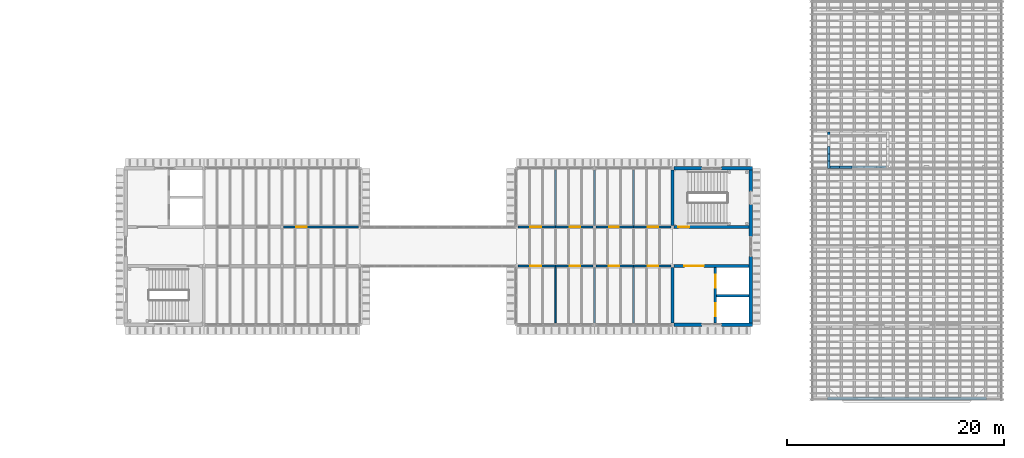
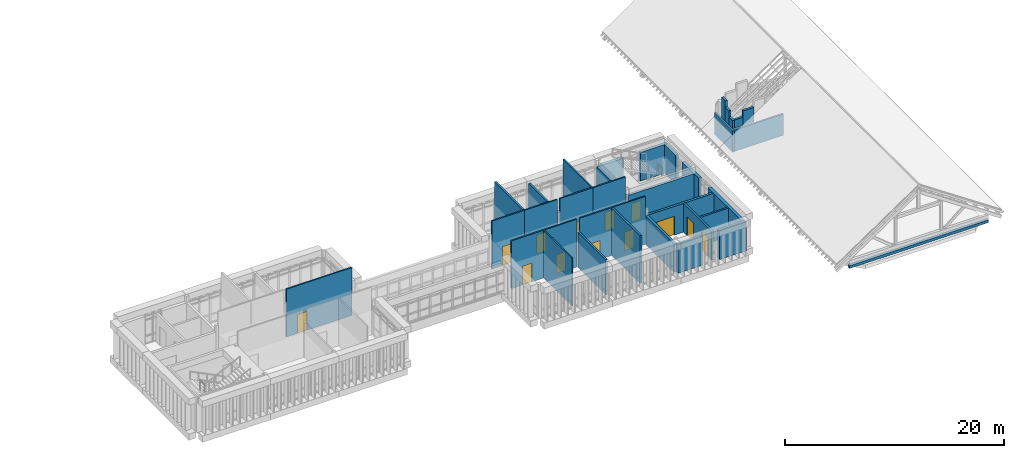
# One storey, part 37 of 51: 36 walls, 13 doors, 13 openings.
"""IFC4 building model written with IfcOpenShell, lengths in metres."""

from ifc_helpers import new_model, si_unit, direction, frame, frame_2d, origin, place, context, subcontext, project, spatial, rectangle, extrude, material, layer, layer_set, type_object, element, fill, save


model = new_model("IFC4")

# Units and contexts
model_context = context("Model", 3, precision=1e-05, world=origin(), true_north=direction((0.0, 1.0)))
body_context = subcontext(model_context, "Body", "Model", "MODEL_VIEW")
ifc_project = project(units=[si_unit("LENGTHUNIT", "METRE"), si_unit("AREAUNIT", "SQUARE_METRE"), si_unit("VOLUMEUNIT", "CUBIC_METRE"), si_unit("PLANEANGLEUNIT", "RADIAN"), si_unit("MASSUNIT", "GRAM", prefix="KILO")], contexts=[model_context])

# Site, building, storey
site_placement = place(None, origin())
site = spatial("IfcSite", under=ifc_project, at=site_placement, CompositionType="ELEMENT")
building_placement = place(site_placement, origin())
building = spatial("IfcBuilding", under=site, at=building_placement, Name="Mazhai Court Health Centre", CompositionType="ELEMENT")
storey_placement = place(building_placement, frame((0.0, 0.0, 14.10009765625)))
storey = spatial("IfcBuildingStorey", under=building, at=storey_placement, Name="L03", CompositionType="ELEMENT", Elevation=14.10009765625)

# Walls
ifc_material_1 = material(Name="Clay brick masonry", Category="masonry")
ifc_layer_1 = layer(ifc_material_1, 0.22998046875)
ifc_layer_set_1 = layer_set([ifc_layer_1], Name="BRICK PARAPET 230 EI 120")
wall_type_1 = type_object("IfcWallType", Name="BRICK PARAPET 230 EI 120", PredefinedType="SOLIDWALL", material=ifc_layer_set_1)
wall_1_placement = place(storey_placement, frame((135.7900390625, 27.800048828125, 2.31591796875), z_axis=(0.0, 0.0, 1.0), x_axis=(0.0, 1.0, 0.0)))
element("IfcWall", 1, at=wall_1_placement, inside=storey, type_object=wall_type_1, Name="PR-core-C9-overrun-slab-00", PredefinedType="SOLIDWALL", context=body_context, shape_type="SweptSolid", body=[
    extrude(rectangle(XDim=0.669921875, YDim=0.22998046875, at=frame_2d((0.3349609375, 0.0))), origin(), (0.0, 0.0, 1.0), 0.89990234375),
])
wall_2_placement = place(storey_placement, frame((135.7900390625, 28.469970703125, 2.31591796875), z_axis=(0.0, 0.0, 1.0), x_axis=(0.0, 1.0, 0.0)))
element("IfcWall", 2, at=wall_2_placement, inside=storey, type_object=wall_type_1, Name="PR-core-C9-overrun-slab-01", PredefinedType="SOLIDWALL", context=body_context, shape_type="SweptSolid", body=[
    extrude(rectangle(XDim=0.669921875, YDim=0.22998046875, at=frame_2d((0.3349609375, 0.0))), origin(), (0.0, 0.0, 1.0), 1.60009765625),
])
wall_3_placement = place(storey_placement, frame((135.7900390625, 29.139892578125, 2.31591796875), z_axis=(0.0, 0.0, 1.0), x_axis=(0.0, 1.0, 0.0)))
element("IfcWall", 3, at=wall_3_placement, inside=storey, type_object=wall_type_1, Name="PR-core-C9-overrun-slab-02", PredefinedType="SOLIDWALL", context=body_context, shape_type="SweptSolid", body=[
    extrude(rectangle(XDim=0.670166015625, YDim=0.22998046875, at=frame_2d((0.3349609375, 0.0))), origin(), (0.0, 0.0, 1.0), 2.300048828125),
])
wall_4_placement = place(storey_placement, frame((137.93505859375, 27.9150390625, 2.31591796875), z_axis=(0.0, 0.0, 1.0), x_axis=(-1.0, 0.0, 0.0)))
element("IfcWall", 4, at=wall_4_placement, inside=storey, type_object=wall_type_1, Name="PR-core-C9-overrun-slab-33", PredefinedType="SOLIDWALL", context=body_context, shape_type="SweptSolid", body=[
    extrude(rectangle(XDim=1.130126953125, YDim=0.22998046875, at=frame_2d((0.56494140625, 0.0))), origin(), (0.0, 0.0, 1.0), 1.60009765625),
])
wall_5_placement = place(storey_placement, frame((136.804931640625, 27.9150390625, 2.31591796875), z_axis=(0.0, 0.0, 1.0), x_axis=(-1.0, 0.0, 0.0)))
element("IfcWall", 5, at=wall_5_placement, inside=storey, type_object=wall_type_1, Name="PR-core-C9-overrun-slab-34", PredefinedType="SOLIDWALL", context=body_context, shape_type="SweptSolid", body=[
    extrude(rectangle(XDim=1.1298828125, YDim=0.22998046875, at=frame_2d((0.56494140625, 0.0))), origin(), (0.0, 0.0, 1.0), 0.89990234375),
])
ifc_material_2 = material(Name="Clay brick masonry", Category="masonry")
ifc_layer_2 = layer(ifc_material_2, 0.330078125)
ifc_layer_set_2 = layer_set([ifc_layer_2], Name="BRICK WALL 330 EXTERNAL")
wall_type_2 = type_object("IfcWallType", Name="BRICK WALL 330 EXTERNAL", PredefinedType="SOLIDWALL", material=ifc_layer_set_2)
wall_6_placement = place(storey_placement, frame((124.10009765625, 13.39990234375, 0.0), z_axis=(0.0, 0.0, 1.0), x_axis=(-1.0, 0.0, 0.0)))
element("IfcWall", 6, at=wall_6_placement, inside=storey, type_object=wall_type_2, Name="EW-V4-L03-A7a", PredefinedType="SOLIDWALL", context=body_context, shape_type="SweptSolid", body=[
    extrude(rectangle(XDim=2.56005859375, YDim=0.330078125, at=frame_2d((1.280029296875, 0.0))), origin(), (0.0, 0.0, 1.0), 3.199951171875),
])
wall_7_placement = place(storey_placement, frame((128.764892578125, 13.39990234375, 0.0), z_axis=(0.0, 0.0, 1.0), x_axis=(-1.0, 0.0, 0.0)))
element("IfcWall", 7, at=wall_7_placement, inside=storey, type_object=wall_type_2, Name="EW-V4-L03-A7b", PredefinedType="SOLIDWALL", context=body_context, shape_type="SweptSolid", body=[
    extrude(rectangle(XDim=2.864990234375, YDim=0.330078125, at=frame_2d((1.4326171875, 0.0))), origin(), (0.0, 0.0, 1.0), 3.199951171875),
])
wall_8_placement = place(storey_placement, frame((121.5400390625, 27.800048828125, 0.0), z_axis=(0.0, 0.0, 1.0), x_axis=(1.0, 0.0, 0.0)))
element("IfcWall", 8, at=wall_8_placement, inside=storey, type_object=wall_type_2, Name="EW-V4-L03-B7a", PredefinedType="SOLIDWALL", context=body_context, shape_type="SweptSolid", body=[
    extrude(rectangle(XDim=2.56005859375, YDim=0.330078125, at=frame_2d((1.280029296875, 0.0))), origin(), (0.0, 0.0, 1.0), 3.199951171875),
])
wall_9_placement = place(storey_placement, frame((125.89990234375, 27.800048828125, 0.0), z_axis=(0.0, 0.0, 1.0), x_axis=(1.0, 0.0, 0.0)))
element("IfcWall", 9, at=wall_9_placement, inside=storey, type_object=wall_type_2, Name="EW-V4-L03-B7b", PredefinedType="SOLIDWALL", context=body_context, shape_type="SweptSolid", body=[
    extrude(rectangle(XDim=2.864990234375, YDim=0.330078125, at=frame_2d((1.4326171875, 0.0))), origin(), (0.0, 0.0, 1.0), 3.199951171875),
])
wall_10_placement = place(storey_placement, frame((128.60009765625, 19.699951171875, 0.0), z_axis=(0.0, 0.0, 1.0), x_axis=(0.0, -1.0, 0.0)))
element("IfcWall", 10, at=wall_10_placement, inside=storey, type_object=wall_type_2, Name="EW-V4-L03-Ep0", PredefinedType="SOLIDWALL", context=body_context, shape_type="SweptSolid", body=[
    extrude(rectangle(XDim=6.135009765625, YDim=0.330078125, at=frame_2d((3.0673828125, 0.0))), origin(), (0.0, 0.0, 1.0), 3.199951171875),
])
wall_11_placement = place(storey_placement, frame((128.60009765625, 24.47998046875, 0.0), z_axis=(0.0, 0.0, 1.0), x_axis=(0.0, -1.0, 0.0)))
element("IfcWall", 11, at=wall_11_placement, inside=storey, type_object=wall_type_2, Name="EW-V4-L03-Ep1", PredefinedType="SOLIDWALL", context=body_context, shape_type="SweptSolid", body=[
    extrude(rectangle(XDim=2.97998046875, YDim=0.330078125, at=frame_2d((1.489990234375, 0.0))), origin(), (0.0, 0.0, 1.0), 3.199951171875),
])
wall_12_placement = place(storey_placement, frame((128.60009765625, 27.635009765625, 0.0), z_axis=(0.0, 0.0, 1.0), x_axis=(0.0, -1.0, 0.0)))
element("IfcWall", 12, at=wall_12_placement, inside=storey, type_object=wall_type_2, Name="EW-V4-L03-Ep2", PredefinedType="SOLIDWALL", context=body_context, shape_type="SweptSolid", body=[
    extrude(rectangle(XDim=1.955078125, YDim=0.330078125, at=frame_2d((0.9775390625, 0.0))), origin(), (0.0, 0.0, 1.0), 3.199951171875),
])
ifc_material_3 = material(Name="Gypsum plasterboard partition")
ifc_layer_3 = layer(ifc_material_3, 0.125)
ifc_layer_set_3 = layer_set([ifc_layer_3], Name="PARTITION 125 STUD EI30")
wall_type_3 = type_object("IfcWallType", Name="PARTITION 125 STUD EI30", PredefinedType="PARTITIONING", material=ifc_layer_set_3)
wall_13_placement = place(storey_placement, frame((110.60009765625, 13.56494140625, 0.0), z_axis=(0.0, 0.0, 1.0), x_axis=(0.0, 1.0, 0.0)))
element("IfcWall", 13, at=wall_13_placement, inside=storey, type_object=wall_type_3, Name="wall-V4-L03-A1-cross-1a", PredefinedType="PARTITIONING", context=body_context, shape_type="SweptSolid", body=[
    extrude(rectangle(XDim=5.16015625, YDim=0.125, at=frame_2d((2.580078125, 0.0))), origin(), (0.0, 0.0, 1.0), 5.331298828125),
])

# Wall, opening, door
ifc_material_4 = material(Name="Gypsum plasterboard partition")
ifc_layer_4 = layer(ifc_material_4, 0.14990234375)
ifc_layer_set_4 = layer_set([ifc_layer_4], Name="PARTITION 150 CORRIDOR EI60")
wall_type_4 = type_object("IfcWallType", Name="PARTITION 150 CORRIDOR EI60", PredefinedType="PARTITIONING", material=ifc_layer_set_4)
wall_14_placement = place(storey_placement, frame((110.60009765625, 18.800048828125, 0.0), z_axis=(0.0, 0.0, 1.0), x_axis=(-1.0, 0.0, 0.0)))
wall_14 = element("IfcWall", 14, at=wall_14_placement, inside=storey, type_object=wall_type_4, Name="wall-V4-L03-A1-corr-0a", PredefinedType="PARTITIONING", context=body_context, shape_type="SweptSolid", body=[
    extrude(rectangle(XDim=3.43505859375, YDim=0.14990234375, at=frame_2d((1.717529296875, 0.0))), origin(), (0.0, 0.0, 1.0), 5.331298828125),
])
opening_1_placement = place(wall_14_placement, frame((1.300048828125, 0.0, 0.0)))
opening_1 = element("IfcOpeningElement", 15, at=opening_1_placement, cuts=wall_14, Name="Opening D-L03-044", PredefinedType="OPENING", context=body_context, shape_type="SweptSolid", body=[
    extrude(rectangle(XDim=1.0, YDim=2.10009765625, at=frame_2d((0.5, 1.050048828125))), frame((0.0, 0.0849609375, 0.0), z_axis=(0.0, -1.0, 0.0), x_axis=(1.0, 0.0, 0.0)), (0.0, 0.0, 1.0), 0.169921875),
])
ifc_material_5 = material(Name="Hardwood door leaf", Category="wood")
door_type_1 = type_object("IfcDoorType", Name="DOOR 1000x2100 FD30S SINGLE", OperationType="NOTDEFINED", PredefinedType="DOOR", material=ifc_material_5)
door_1_placement = place(opening_1_placement, origin())
door_1 = element("IfcDoor", 16, at=door_1_placement, inside=storey, type_object=door_type_1, Name="door-V4-L03-A1-immunisation-room", OperationType="SINGLE_SWING_RIGHT", OverallHeight=2.10009765625, OverallWidth=1.0, PredefinedType="DOOR", context=body_context, shape_type="SweptSolid", body=[
    extrude(rectangle(XDim=1.0, YDim=2.10009765625, at=frame_2d((0.5, 1.050048828125))), frame((0.0, 0.02490234375, 0.0), z_axis=(0.0, -1.0, 0.0), x_axis=(1.0, 0.0, 0.0)), (0.0, 0.0, 1.0), 0.050048828125),
])
fill(opening_1, door_1)

wall_15_placement = place(storey_placement, frame((114.06005859375, 18.800048828125, 0.0), z_axis=(0.0, 0.0, 1.0), x_axis=(-1.0, 0.0, 0.0)))
wall_15 = element("IfcWall", 17, at=wall_15_placement, inside=storey, type_object=wall_type_4, Name="wall-V4-L03-A1-corr-1a", PredefinedType="PARTITIONING", context=body_context, shape_type="SweptSolid", body=[
    extrude(rectangle(XDim=3.4599609375, YDim=0.14990234375, at=frame_2d((1.72998046875, 0.0))), origin(), (0.0, 0.0, 1.0), 5.331298828125),
])
opening_2_placement = place(wall_15_placement, frame((1.159912109375, 0.0, 0.0)))
opening_2 = element("IfcOpeningElement", 18, at=opening_2_placement, cuts=wall_15, Name="Opening D-L03-046", PredefinedType="OPENING", context=body_context, shape_type="SweptSolid", body=[
    extrude(rectangle(XDim=1.0, YDim=2.10009765625, at=frame_2d((0.5, 1.050048828125))), frame((0.0, 0.0849609375, 0.0), z_axis=(0.0, -1.0, 0.0), x_axis=(1.0, 0.0, 0.0)), (0.0, 0.0, 1.0), 0.169921875),
])
door_2_placement = place(opening_2_placement, origin())
door_2 = element("IfcDoor", 19, at=door_2_placement, inside=storey, type_object=door_type_1, Name="door-V4-L03-A1-lactation-room", OperationType="SINGLE_SWING_LEFT", OverallHeight=2.10009765625, OverallWidth=1.0, PredefinedType="DOOR", context=body_context, shape_type="SweptSolid", body=[
    extrude(rectangle(XDim=1.0, YDim=2.10009765625, at=frame_2d((0.5, 1.050048828125))), frame((0.0, 0.02490234375, 0.0), z_axis=(0.0, -1.0, 0.0), x_axis=(1.0, 0.0, 0.0)), (0.0, 0.0, 1.0), 0.050048828125),
])
fill(opening_2, door_2)

wall_16_placement = place(storey_placement, frame((117.800048828125, 18.800048828125, 0.0), z_axis=(0.0, 0.0, 1.0), x_axis=(-1.0, 0.0, 0.0)))
wall_16 = element("IfcWall", 20, at=wall_16_placement, inside=storey, type_object=wall_type_4, Name="wall-V4-L03-A1-corr-2a", PredefinedType="PARTITIONING", context=body_context, shape_type="SweptSolid", body=[
    extrude(rectangle(XDim=3.4599609375, YDim=0.14990234375, at=frame_2d((1.72998046875, 0.0))), origin(), (0.0, 0.0, 1.0), 5.331298828125),
])
opening_3_placement = place(wall_16_placement, frame((1.300048828125, 0.0, 0.0)))
opening_3 = element("IfcOpeningElement", 21, at=opening_3_placement, cuts=wall_16, Name="Opening D-L03-048", PredefinedType="OPENING", context=body_context, shape_type="SweptSolid", body=[
    extrude(rectangle(XDim=1.0, YDim=2.10009765625, at=frame_2d((0.5, 1.050048828125))), frame((0.0, 0.0849609375, 0.0), z_axis=(0.0, -1.0, 0.0), x_axis=(1.0, 0.0, 0.0)), (0.0, 0.0, 1.0), 0.169921875),
])
door_3_placement = place(opening_3_placement, origin())
door_3 = element("IfcDoor", 22, at=door_3_placement, inside=storey, type_object=door_type_1, Name="door-V4-L03-A1-psychiatry-consulting-room-1", OperationType="SINGLE_SWING_RIGHT", OverallHeight=2.10009765625, OverallWidth=1.0, PredefinedType="DOOR", context=body_context, shape_type="SweptSolid", body=[
    extrude(rectangle(XDim=1.0, YDim=2.10009765625, at=frame_2d((0.5, 1.050048828125))), frame((0.0, 0.02490234375, 0.0), z_axis=(0.0, -1.0, 0.0), x_axis=(1.0, 0.0, 0.0)), (0.0, 0.0, 1.0), 0.050048828125),
])
fill(opening_3, door_3)

wall_17_placement = place(storey_placement, frame((121.260009765625, 18.800048828125, 0.0), z_axis=(0.0, 0.0, 1.0), x_axis=(-1.0, 0.0, 0.0)))
wall_17 = element("IfcWall", 23, at=wall_17_placement, inside=storey, type_object=wall_type_4, Name="wall-V4-L03-A1-corr-3a", PredefinedType="PARTITIONING", context=body_context, shape_type="SweptSolid", body=[
    extrude(rectangle(XDim=3.4599609375, YDim=0.14990234375, at=frame_2d((1.72998046875, 0.0))), origin(), (0.0, 0.0, 1.0), 5.331298828125),
])
opening_4_placement = place(wall_17_placement, frame((1.159912109375, 0.0, 0.0)))
opening_4 = element("IfcOpeningElement", 24, at=opening_4_placement, cuts=wall_17, Name="Opening D-L03-050", PredefinedType="OPENING", context=body_context, shape_type="SweptSolid", body=[
    extrude(rectangle(XDim=1.0, YDim=2.10009765625, at=frame_2d((0.5, 1.050048828125))), frame((0.0, 0.0849609375, 0.0), z_axis=(0.0, -1.0, 0.0), x_axis=(1.0, 0.0, 0.0)), (0.0, 0.0, 1.0), 0.169921875),
])
door_4_placement = place(opening_4_placement, origin())
door_4 = element("IfcDoor", 25, at=door_4_placement, inside=storey, type_object=door_type_1, Name="door-V4-L03-A1-psychiatry-consulting-room-2", OperationType="SINGLE_SWING_LEFT", OverallHeight=2.10009765625, OverallWidth=1.0, PredefinedType="DOOR", context=body_context, shape_type="SweptSolid", body=[
    extrude(rectangle(XDim=1.0, YDim=2.10009765625, at=frame_2d((0.5, 1.050048828125))), frame((0.0, 0.02490234375, 0.0), z_axis=(0.0, -1.0, 0.0), x_axis=(1.0, 0.0, 0.0)), (0.0, 0.0, 1.0), 0.050048828125),
])
fill(opening_4, door_4)

wall_18_placement = place(storey_placement, frame((85.5400390625, 22.39990234375, 0.0), z_axis=(0.0, 0.0, 1.0), x_axis=(1.0, 0.0, 0.0)))
wall_18 = element("IfcWall", 26, at=wall_18_placement, inside=storey, type_object=wall_type_4, Name="wall-V4-L03-B0-corr-2a", PredefinedType="PARTITIONING", context=body_context, shape_type="SweptSolid", body=[
    extrude(rectangle(XDim=6.89501953125, YDim=0.14990234375, at=frame_2d((3.447509765625, 0.0))), origin(), (0.0, 0.0, 1.0), 5.331298828125),
])
opening_5_placement = place(wall_18_placement, frame((1.159912109375, 0.0, 0.0)))
opening_5 = element("IfcOpeningElement", 27, at=opening_5_placement, cuts=wall_18, Name="Opening D-L03-042", PredefinedType="OPENING", context=body_context, shape_type="SweptSolid", body=[
    extrude(rectangle(XDim=1.0, YDim=2.10009765625, at=frame_2d((0.5, 1.050048828125))), frame((0.0, 0.0849609375, 0.0), z_axis=(0.0, -1.0, 0.0), x_axis=(1.0, 0.0, 0.0)), (0.0, 0.0, 1.0), 0.169921875),
])
door_5_placement = place(opening_5_placement, origin())
door_5 = element("IfcDoor", 28, at=door_5_placement, inside=storey, type_object=door_type_1, Name="door-V4-L03-B0-group-therapy-room", OperationType="SINGLE_SWING_LEFT", OverallHeight=2.10009765625, OverallWidth=1.0, PredefinedType="DOOR", context=body_context, shape_type="SweptSolid", body=[
    extrude(rectangle(XDim=1.0, YDim=2.10009765625, at=frame_2d((0.5, 1.050048828125))), frame((0.0, 0.02490234375, 0.0), z_axis=(0.0, -1.0, 0.0), x_axis=(1.0, 0.0, 0.0)), (0.0, 0.0, 1.0), 0.050048828125),
])
fill(opening_5, door_5)

wall_19_placement = place(storey_placement, frame((107.1650390625, 22.39990234375, 0.0), z_axis=(0.0, 0.0, 1.0), x_axis=(1.0, 0.0, 0.0)))
wall_19 = element("IfcWall", 29, at=wall_19_placement, inside=storey, type_object=wall_type_4, Name="wall-V4-L03-B1-corr-0a", PredefinedType="PARTITIONING", context=body_context, shape_type="SweptSolid", body=[
    extrude(rectangle(XDim=3.43505859375, YDim=0.14990234375, at=frame_2d((1.717529296875, 0.0))), origin(), (0.0, 0.0, 1.0), 5.331298828125),
])
opening_6_placement = place(wall_19_placement, frame((1.135009765625, 0.0, 0.0)))
opening_6 = element("IfcOpeningElement", 30, at=opening_6_placement, cuts=wall_19, Name="Opening D-L03-045", PredefinedType="OPENING", context=body_context, shape_type="SweptSolid", body=[
    extrude(rectangle(XDim=1.0, YDim=2.10009765625, at=frame_2d((0.5, 1.050048828125))), frame((0.0, 0.0849609375, 0.0), z_axis=(0.0, -1.0, 0.0), x_axis=(1.0, 0.0, 0.0)), (0.0, 0.0, 1.0), 0.169921875),
])
door_6_placement = place(opening_6_placement, origin())
door_6 = element("IfcDoor", 31, at=door_6_placement, inside=storey, type_object=door_type_1, Name="door-V4-L03-B1-assessment-room", OperationType="SINGLE_SWING_LEFT", OverallHeight=2.10009765625, OverallWidth=1.0, PredefinedType="DOOR", context=body_context, shape_type="SweptSolid", body=[
    extrude(rectangle(XDim=1.0, YDim=2.10009765625, at=frame_2d((0.5, 1.050048828125))), frame((0.0, 0.02490234375, 0.0), z_axis=(0.0, -1.0, 0.0), x_axis=(1.0, 0.0, 0.0)), (0.0, 0.0, 1.0), 0.050048828125),
])
fill(opening_6, door_6)

wall_20_placement = place(storey_placement, frame((110.60009765625, 22.39990234375, 0.0), z_axis=(0.0, 0.0, 1.0), x_axis=(1.0, 0.0, 0.0)))
wall_20 = element("IfcWall", 32, at=wall_20_placement, inside=storey, type_object=wall_type_4, Name="wall-V4-L03-B1-corr-1a", PredefinedType="PARTITIONING", context=body_context, shape_type="SweptSolid", body=[
    extrude(rectangle(XDim=3.4599609375, YDim=0.14990234375, at=frame_2d((1.72998046875, 0.0))), origin(), (0.0, 0.0, 1.0), 5.331298828125),
])
opening_7_placement = place(wall_20_placement, frame((1.300048828125, 0.0, 0.0)))
opening_7 = element("IfcOpeningElement", 33, at=opening_7_placement, cuts=wall_20, Name="Opening D-L03-047", PredefinedType="OPENING", context=body_context, shape_type="SweptSolid", body=[
    extrude(rectangle(XDim=1.0, YDim=2.10009765625, at=frame_2d((0.5, 1.050048828125))), frame((0.0, 0.0849609375, 0.0), z_axis=(0.0, -1.0, 0.0), x_axis=(1.0, 0.0, 0.0)), (0.0, 0.0, 1.0), 0.169921875),
])
door_7_placement = place(opening_7_placement, origin())
door_7 = element("IfcDoor", 34, at=door_7_placement, inside=storey, type_object=door_type_1, Name="door-V4-L03-B1-quiet-room", OperationType="SINGLE_SWING_RIGHT", OverallHeight=2.10009765625, OverallWidth=1.0, PredefinedType="DOOR", context=body_context, shape_type="SweptSolid", body=[
    extrude(rectangle(XDim=1.0, YDim=2.10009765625, at=frame_2d((0.5, 1.050048828125))), frame((0.0, 0.02490234375, 0.0), z_axis=(0.0, -1.0, 0.0), x_axis=(1.0, 0.0, 0.0)), (0.0, 0.0, 1.0), 0.050048828125),
])
fill(opening_7, door_7)

wall_21_placement = place(storey_placement, frame((117.800048828125, 22.39990234375, 0.0), z_axis=(0.0, 0.0, 1.0), x_axis=(-1.0, 0.0, 0.0)))
wall_21 = element("IfcWall", 35, at=wall_21_placement, inside=storey, type_object=wall_type_4, Name="wall-V4-L03-B1-corr-2a", PredefinedType="PARTITIONING", context=body_context, shape_type="SweptSolid", body=[
    extrude(rectangle(XDim=3.4599609375, YDim=0.14990234375, at=frame_2d((1.72998046875, 0.0))), origin(), (0.0, 0.0, 1.0), 5.331298828125),
])
opening_8_placement = place(wall_21_placement, frame((1.35009765625, 0.0, 0.0)))
opening_8 = element("IfcOpeningElement", 36, at=opening_8_placement, cuts=wall_21, Name="Opening D-L03-049", PredefinedType="OPENING", context=body_context, shape_type="SweptSolid", body=[
    extrude(rectangle(XDim=0.89990234375, YDim=2.10009765625, at=frame_2d((0.449951171875, 1.050048828125))), frame((0.0, 0.0849609375, 0.0), z_axis=(0.0, -1.0, 0.0), x_axis=(1.0, 0.0, 0.0)), (0.0, 0.0, 1.0), 0.169921875),
])
ifc_material_6 = material(Name="Hardwood door leaf", Category="wood")
door_type_2 = type_object("IfcDoorType", Name="DOOR 900x2100 FD30S SINGLE", OperationType="NOTDEFINED", PredefinedType="DOOR", material=ifc_material_6)
door_8_placement = place(opening_8_placement, origin())
door_8 = element("IfcDoor", 37, at=door_8_placement, inside=storey, type_object=door_type_2, Name="door-V4-L03-B1-accessible-wc", OperationType="SINGLE_SWING_RIGHT", OverallHeight=2.10009765625, OverallWidth=0.89990234375, PredefinedType="DOOR", context=body_context, shape_type="SweptSolid", body=[
    extrude(rectangle(XDim=0.89990234375, YDim=2.10009765625, at=frame_2d((0.449951171875, 1.050048828125))), frame((0.0, 0.02490234375, 0.0), z_axis=(0.0, -1.0, 0.0), x_axis=(1.0, 0.0, 0.0)), (0.0, 0.0, 1.0), 0.050048828125),
])
fill(opening_8, door_8)

wall_22_placement = place(storey_placement, frame((117.800048828125, 22.39990234375, 0.0), z_axis=(0.0, 0.0, 1.0), x_axis=(1.0, 0.0, 0.0)))
wall_22 = element("IfcWall", 38, at=wall_22_placement, inside=storey, type_object=wall_type_4, Name="wall-V4-L03-B1-corr-3a", PredefinedType="PARTITIONING", context=body_context, shape_type="SweptSolid", body=[
    extrude(rectangle(XDim=3.4599609375, YDim=0.14990234375, at=frame_2d((1.72998046875, 0.0))), origin(), (0.0, 0.0, 1.0), 5.331298828125),
])
opening_9_placement = place(wall_22_placement, frame((1.300048828125, 0.0, 0.0)))
opening_9 = element("IfcOpeningElement", 39, at=opening_9_placement, cuts=wall_22, Name="Opening D-L03-051", PredefinedType="OPENING", context=body_context, shape_type="SweptSolid", body=[
    extrude(rectangle(XDim=1.0, YDim=2.10009765625, at=frame_2d((0.5, 1.050048828125))), frame((0.0, 0.0849609375, 0.0), z_axis=(0.0, -1.0, 0.0), x_axis=(1.0, 0.0, 0.0)), (0.0, 0.0, 1.0), 0.169921875),
])
door_9_placement = place(opening_9_placement, origin())
door_9 = element("IfcDoor", 40, at=door_9_placement, inside=storey, type_object=door_type_1, Name="door-V4-L03-B1-health-administration-office", OperationType="SINGLE_SWING_RIGHT", OverallHeight=2.10009765625, OverallWidth=1.0, PredefinedType="DOOR", context=body_context, shape_type="SweptSolid", body=[
    extrude(rectangle(XDim=1.0, YDim=2.10009765625, at=frame_2d((0.5, 1.050048828125))), frame((0.0, 0.02490234375, 0.0), z_axis=(0.0, -1.0, 0.0), x_axis=(1.0, 0.0, 0.0)), (0.0, 0.0, 1.0), 0.050048828125),
])
fill(opening_9, door_9)

# Walls
ifc_material_7 = material(Name="Gypsum plasterboard partition")
ifc_layer_5 = layer(ifc_material_7, 0.14990234375)
ifc_layer_set_5 = layer_set([ifc_layer_5], Name="PARTITION 150 WET AREA EI30")
wall_type_5 = type_object("IfcWallType", Name="PARTITION 150 WET AREA EI30", PredefinedType="PARTITIONING", material=ifc_layer_set_5)
wall_23_placement = place(storey_placement, frame((117.800048828125, 27.635009765625, 0.0), z_axis=(0.0, 0.0, 1.0), x_axis=(0.0, -1.0, 0.0)))
element("IfcWall", 41, at=wall_23_placement, inside=storey, type_object=wall_type_5, Name="wall-V4-L03-B1-cross-3a", PredefinedType="PARTITIONING", context=body_context, shape_type="SweptSolid", body=[
    extrude(rectangle(XDim=5.159912109375, YDim=0.14990234375, at=frame_2d((2.580078125, 0.0))), origin(), (0.0, 0.0, 1.0), 5.331298828125),
])
ifc_material_8 = material(Name="Gypsum plasterboard partition")
ifc_layer_6 = layer(ifc_material_8, 0.199951171875)
ifc_layer_set_6 = layer_set([ifc_layer_6], Name="PARTITION 200 ACOUSTIC EI30")
wall_type_6 = type_object("IfcWallType", Name="PARTITION 200 ACOUSTIC EI30", PredefinedType="PARTITIONING", material=ifc_layer_set_6)
wall_24_placement = place(storey_placement, frame((114.199951171875, 13.56494140625, 0.0), z_axis=(0.0, 0.0, 1.0), x_axis=(0.0, 1.0, 0.0)))
element("IfcWall", 42, at=wall_24_placement, inside=storey, type_object=wall_type_6, Name="wall-V4-L03-A1-cross-2a", PredefinedType="PARTITIONING", context=body_context, shape_type="SweptSolid", body=[
    extrude(rectangle(XDim=5.094970703125, YDim=0.199951171875, at=frame_2d((2.54736328125, 0.0))), origin(), (0.0, 0.0, 1.0), 3.89990234375),
])
wall_25_placement = place(storey_placement, frame((117.800048828125, 13.56494140625, 0.0), z_axis=(0.0, 0.0, 1.0), x_axis=(0.0, 1.0, 0.0)))
element("IfcWall", 43, at=wall_25_placement, inside=storey, type_object=wall_type_6, Name="wall-V4-L03-A1-cross-3a", PredefinedType="PARTITIONING", context=body_context, shape_type="SweptSolid", body=[
    extrude(rectangle(XDim=5.16015625, YDim=0.199951171875, at=frame_2d((2.580078125, 0.0))), origin(), (0.0, 0.0, 1.0), 5.331298828125),
])
wall_26_placement = place(storey_placement, frame((110.60009765625, 27.635009765625, 0.0), z_axis=(0.0, 0.0, 1.0), x_axis=(0.0, -1.0, 0.0)))
element("IfcWall", 44, at=wall_26_placement, inside=storey, type_object=wall_type_6, Name="wall-V4-L03-B1-cross-1a", PredefinedType="PARTITIONING", context=body_context, shape_type="SweptSolid", body=[
    extrude(rectangle(XDim=5.159912109375, YDim=0.199951171875, at=frame_2d((2.580078125, 0.0))), origin(), (0.0, 0.0, 1.0), 5.331298828125),
])
wall_27_placement = place(storey_placement, frame((114.199951171875, 27.635009765625, 0.0), z_axis=(0.0, 0.0, 1.0), x_axis=(0.0, -1.0, 0.0)))
element("IfcWall", 45, at=wall_27_placement, inside=storey, type_object=wall_type_6, Name="wall-V4-L03-B1-cross-2a", PredefinedType="PARTITIONING", context=body_context, shape_type="SweptSolid", body=[
    extrude(rectangle(XDim=5.094970703125, YDim=0.199951171875, at=frame_2d((2.54736328125, 0.0))), origin(), (0.0, 0.0, 1.0), 3.89990234375),
])

# Wall, opening, door
ifc_material_9 = material(Name="Concrete M40", Category="concrete")
ifc_layer_7 = layer(ifc_material_9, 0.25)
ifc_layer_set_7 = layer_set([ifc_layer_7], Name="RC CORE WALL 250 M40")
wall_type_7 = type_object("IfcWallType", Name="RC CORE WALL 250 M40", PredefinedType="SHEAR", material=ifc_layer_set_7)
wall_28_placement = place(storey_placement, frame((121.5400390625, 22.39990234375, 0.0), z_axis=(0.0, 0.0, 1.0), x_axis=(1.0, 0.0, 0.0)))
wall_28 = element("IfcWall", 46, at=wall_28_placement, inside=storey, type_object=wall_type_7, Name="core-C7-w-stair-corr-L03", PredefinedType="SHEAR", context=body_context, shape_type="SweptSolid", body=[
    extrude(rectangle(XDim=6.89501953125, YDim=0.25, at=frame_2d((3.447509765625, 0.0))), origin(), (0.0, 0.0, 1.0), 3.199951171875),
])
opening_10_placement = place(wall_28_placement, frame((0.385009765625, 0.0, 0.0)))
opening_10 = element("IfcOpeningElement", 47, at=opening_10_placement, cuts=wall_28, Name="Opening D-L03-052", PredefinedType="OPENING", context=body_context, shape_type="SweptSolid", body=[
    extrude(rectangle(XDim=1.0, YDim=2.10009765625, at=frame_2d((0.5, 1.050048828125))), frame((0.0, 0.135009765625, 0.0), z_axis=(0.0, -1.0, 0.0), x_axis=(1.0, 0.0, 0.0)), (0.0, 0.0, 1.0), 0.27001953125),
])
ifc_material_10 = material(Name="Steel fire door leaf", Category="steel")
door_type_3 = type_object("IfcDoorType", Name="FD120S STAIR DOOR 1000x2100", OperationType="SINGLE_SWING_LEFT", PredefinedType="DOOR", material=ifc_material_10)
door_10_placement = place(opening_10_placement, origin())
door_10 = element("IfcDoor", 48, at=door_10_placement, inside=storey, type_object=door_type_3, Name="Stair 7 door L03", OperationType="SINGLE_SWING_RIGHT", OverallHeight=2.10009765625, OverallWidth=1.0, PredefinedType="DOOR", context=body_context, shape_type="SweptSolid", body=[
    extrude(rectangle(XDim=1.0, YDim=2.10009765625, at=frame_2d((0.5, 1.050048828125))), frame((0.0, 0.02490234375, 0.0), z_axis=(0.0, -1.0, 0.0), x_axis=(1.0, 0.0, 0.0)), (0.0, 0.0, 1.0), 0.050048828125),
])
fill(opening_10, door_10)

# Wall
wall_29_placement = place(storey_placement, frame((121.39990234375, 22.5400390625, 0.0), z_axis=(0.0, 0.0, 1.0), x_axis=(0.0, 1.0, 0.0)))
element("IfcWall", 49, at=wall_29_placement, inside=storey, type_object=wall_type_7, Name="core-C7-w-stair-line0-L03", PredefinedType="SHEAR", context=body_context, shape_type="SweptSolid", body=[
    extrude(rectangle(XDim=5.119873046875, YDim=0.25, at=frame_2d((2.56005859375, 0.0))), origin(), (0.0, 0.0, 1.0), 3.199951171875),
])

# Wall, opening, door
wall_30_placement = place(storey_placement, frame((121.5400390625, 18.800048828125, 0.0), z_axis=(0.0, 0.0, 1.0), x_axis=(1.0, 0.0, 0.0)))
wall_30 = element("IfcWall", 50, at=wall_30_placement, inside=storey, type_object=wall_type_7, Name="core-C7-w-other-corr-L03", PredefinedType="SHEAR", context=body_context, shape_type="SweptSolid", body=[
    extrude(rectangle(XDim=6.89501953125, YDim=0.25, at=frame_2d((3.447509765625, 0.0))), origin(), (0.0, 0.0, 1.0), 3.199951171875),
])
opening_11_placement = place(wall_30_placement, frame((0.93994140625, 0.0, 0.0)))
opening_11 = element("IfcOpeningElement", 51, at=opening_11_placement, cuts=wall_30, Name="Opening D-L03-053", PredefinedType="OPENING", context=body_context, shape_type="SweptSolid", body=[
    extrude(rectangle(XDim=1.800048828125, YDim=2.10009765625, at=frame_2d((0.89990234375, 1.050048828125))), frame((0.0, 0.135009765625, 0.0), z_axis=(0.0, -1.0, 0.0), x_axis=(1.0, 0.0, 0.0)), (0.0, 0.0, 1.0), 0.27001953125),
])
ifc_material_11 = material(Name="Steel fire door leaf", Category="steel")
door_type_4 = type_object("IfcDoorType", Name="FD60S LIFT LOBBY DOOR 1800x2100", OperationType="DOUBLE_DOOR_SINGLE_SWING", PredefinedType="DOOR", material=ifc_material_11)
door_11_placement = place(opening_11_placement, origin())
door_11 = element("IfcDoor", 52, at=door_11_placement, inside=storey, type_object=door_type_4, Name="Lift lobby door L03", OperationType="DOUBLE_DOOR_SINGLE_SWING", OverallHeight=2.10009765625, OverallWidth=1.800048828125, PredefinedType="DOOR", context=body_context, shape_type="SweptSolid", body=[
    extrude(rectangle(XDim=1.800048828125, YDim=2.10009765625, at=frame_2d((0.89990234375, 1.050048828125))), frame((0.0, 0.02490234375, 0.0), z_axis=(0.0, -1.0, 0.0), x_axis=(1.0, 0.0, 0.0)), (0.0, 0.0, 1.0), 0.050048828125),
])
fill(opening_11, door_11)

# Wall
wall_31_placement = place(storey_placement, frame((121.39990234375, 13.5400390625, 0.0), z_axis=(0.0, 0.0, 1.0), x_axis=(0.0, 1.0, 0.0)))
element("IfcWall", 53, at=wall_31_placement, inside=storey, type_object=wall_type_7, Name="core-C7-w-other-line0-L03", PredefinedType="SHEAR", context=body_context, shape_type="SweptSolid", body=[
    extrude(rectangle(XDim=5.119873046875, YDim=0.25, at=frame_2d((2.56005859375, 0.0))), origin(), (0.0, 0.0, 1.0), 3.199951171875),
])

# Wall, openings, doors
ifc_material_12 = material(Name="Concrete M40", Category="concrete")
ifc_layer_8 = layer(ifc_material_12, 0.199951171875)
ifc_layer_set_8 = layer_set([ifc_layer_8], Name="RC SHAFT WALL 200 M40")
wall_type_8 = type_object("IfcWallType", Name="RC SHAFT WALL 200 M40", PredefinedType="SHEAR", material=ifc_layer_set_8)
wall_32_placement = place(storey_placement, frame((125.3349609375, 13.56494140625, 0.0), z_axis=(0.0, 0.0, 1.0), x_axis=(0.0, 1.0, 0.0)))
wall_32 = element("IfcWall", 54, at=wall_32_placement, inside=storey, type_object=wall_type_8, Name="core-C7-w-front-L03", PredefinedType="SHEAR", context=body_context, shape_type="SweptSolid", body=[
    extrude(rectangle(XDim=5.110107421875, YDim=0.199951171875, at=frame_2d((2.55517578125, 0.0))), origin(), (0.0, 0.0, 1.0), 3.199951171875),
])
opening_12_placement = place(wall_32_placement, frame((0.60009765625, 0.0, 0.0)))
opening_12 = element("IfcOpeningElement", 55, at=opening_12_placement, cuts=wall_32, Name="Opening LD7-L03", PredefinedType="OPENING", context=body_context, shape_type="SweptSolid", body=[
    extrude(rectangle(XDim=1.199951171875, YDim=2.10009765625, at=frame_2d((0.60009765625, 1.050048828125))), frame((0.0, 0.10986328125, 0.0), z_axis=(0.0, -1.0, 0.0), x_axis=(1.0, 0.0, 0.0)), (0.0, 0.0, 1.0), 0.219970703125),
])
opening_13_placement = place(wall_32_placement, frame((3.2548828125, 0.0, 0.0)))
opening_13 = element("IfcOpeningElement", 56, at=opening_13_placement, cuts=wall_32, Name="Opening LD8-L03", PredefinedType="OPENING", context=body_context, shape_type="SweptSolid", body=[
    extrude(rectangle(XDim=1.199951171875, YDim=2.10009765625, at=frame_2d((0.60009765625, 1.050048828125))), frame((0.0, 0.10986328125, 0.0), z_axis=(0.0, -1.0, 0.0), x_axis=(1.0, 0.0, 0.0)), (0.0, 0.0, 1.0), 0.219970703125),
])
ifc_material_13 = material(Name="Stainless steel lift door", Category="steel")
door_type_5 = type_object("IfcDoorType", Name="LIFT LANDING DOOR 1200x2100", OperationType="DOUBLE_DOOR_SLIDING", PredefinedType="DOOR", material=ifc_material_13)
door_12_placement = place(opening_12_placement, origin())
door_12 = element("IfcDoor", 57, at=door_12_placement, inside=storey, type_object=door_type_5, Name="Landing door LD7 L03", OperationType="DOUBLE_DOOR_SLIDING", OverallHeight=2.10009765625, OverallWidth=1.199951171875, PredefinedType="DOOR", context=body_context, shape_type="SweptSolid", body=[
    extrude(rectangle(XDim=1.199951171875, YDim=2.10009765625, at=frame_2d((0.60009765625, 1.050048828125))), frame((0.0, 0.02490234375, 0.0), z_axis=(0.0, -1.0, 0.0), x_axis=(1.0, 0.0, 0.0)), (0.0, 0.0, 1.0), 0.050048828125),
])
fill(opening_12, door_12)
door_13_placement = place(opening_13_placement, origin())
door_13 = element("IfcDoor", 58, at=door_13_placement, inside=storey, type_object=door_type_5, Name="Landing door LD8 L03", OperationType="DOUBLE_DOOR_SLIDING", OverallHeight=2.10009765625, OverallWidth=1.199951171875, PredefinedType="DOOR", context=body_context, shape_type="SweptSolid", body=[
    extrude(rectangle(XDim=1.199951171875, YDim=2.10009765625, at=frame_2d((0.60009765625, 1.050048828125))), frame((0.0, 0.02490234375, 0.0), z_axis=(0.0, -1.0, 0.0), x_axis=(1.0, 0.0, 0.0)), (0.0, 0.0, 1.0), 0.050048828125),
])
fill(opening_13, door_13)

# Walls
wall_33_placement = place(storey_placement, frame((128.43505859375, 16.06494140625, 0.0), z_axis=(0.0, 0.0, 1.0), x_axis=(-1.0, 0.0, 0.0)))
element("IfcWall", 59, at=wall_33_placement, inside=storey, type_object=wall_type_8, Name="core-C7-w-divider0-L03", PredefinedType="SHEAR", context=body_context, shape_type="SweptSolid", body=[
    extrude(rectangle(XDim=3.0, YDim=0.199951171875, at=frame_2d((1.5, 0.0))), origin(), (0.0, 0.0, 1.0), 3.199951171875),
])
wall_34_placement = place(storey_placement, frame((135.800048828125, 27.800048828125, -0.300048828125), z_axis=(0.0, 0.0, 1.0), x_axis=(0.0, 1.0, 0.0)))
element("IfcWall", 60, at=wall_34_placement, inside=storey, type_object=wall_type_8, Name="core-C9-overrun-w0", PredefinedType="SHEAR", context=body_context, shape_type="SweptSolid", body=[
    extrude(rectangle(XDim=3.349853515625, YDim=0.199951171875, at=frame_2d((1.6748046875, 0.0))), origin(), (0.0, 0.0, 1.0), 2.365966796875),
])
wall_35_placement = place(storey_placement, frame((135.925048828125, 27.925048828125, -0.300048828125), z_axis=(0.0, 0.0, 1.0), x_axis=(1.0, 0.0, 0.0)))
element("IfcWall", 61, at=wall_35_placement, inside=storey, type_object=wall_type_8, Name="core-C9-overrun-w2", PredefinedType="SHEAR", context=body_context, shape_type="SweptSolid", body=[
    extrude(rectangle(XDim=5.14990234375, YDim=0.199951171875, at=frame_2d((2.574951171875, 0.0))), origin(), (0.0, 0.0, 1.0), 2.365966796875),
])
ifc_material_14 = material(Name="Concrete M40", Category="concrete")
ifc_layer_9 = layer(ifc_material_14, 0.300048828125)
ifc_layer_set_9 = layer_set([ifc_layer_9], Name="RC UPSTAND WALL 300 M40")
wall_type_9 = type_object("IfcWallType", Name="RC UPSTAND WALL 300 M40", PredefinedType="SHEAR", material=ifc_layer_set_9)
wall_36_placement = place(storey_placement, frame((150.320068359375, 6.60009765625, -0.300048828125), z_axis=(0.0, 0.0, 1.0), x_axis=(-1.0, 0.0, 0.0)))
element("IfcWall", 62, at=wall_36_placement, inside=storey, type_object=wall_type_9, Name="Truss upstand TV6", PredefinedType="SHEAR", context=body_context, shape_type="SweptSolid", body=[
    extrude(rectangle(XDim=14.64013671875, YDim=0.300048828125, at=frame_2d((7.320068359375, 0.0))), origin(), (0.0, 0.0, 1.0), 0.300048828125),
])

save(model, "model.ifc")
